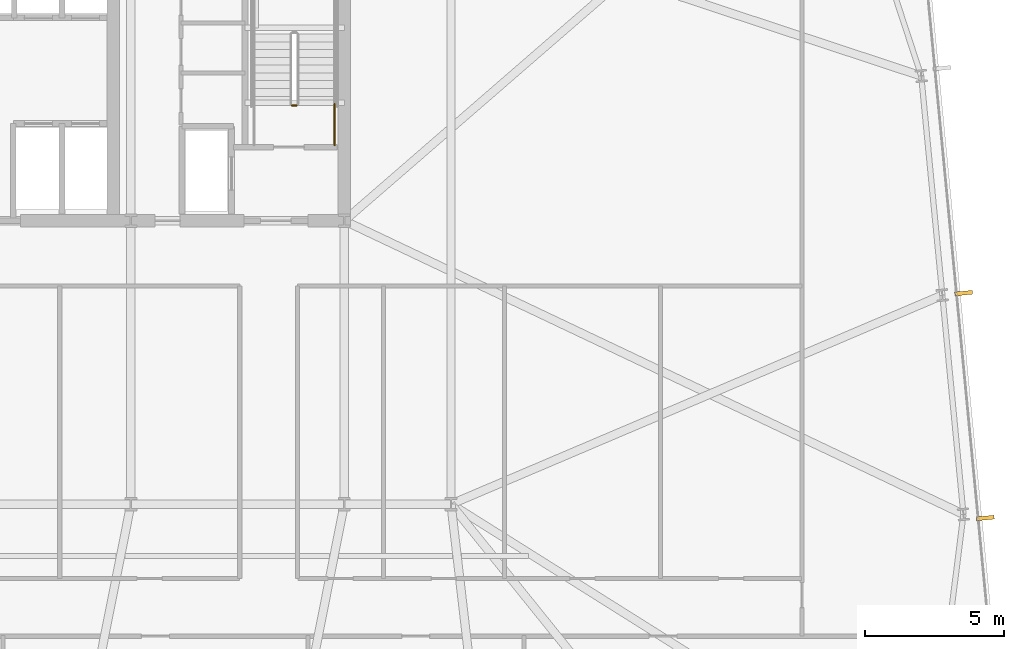
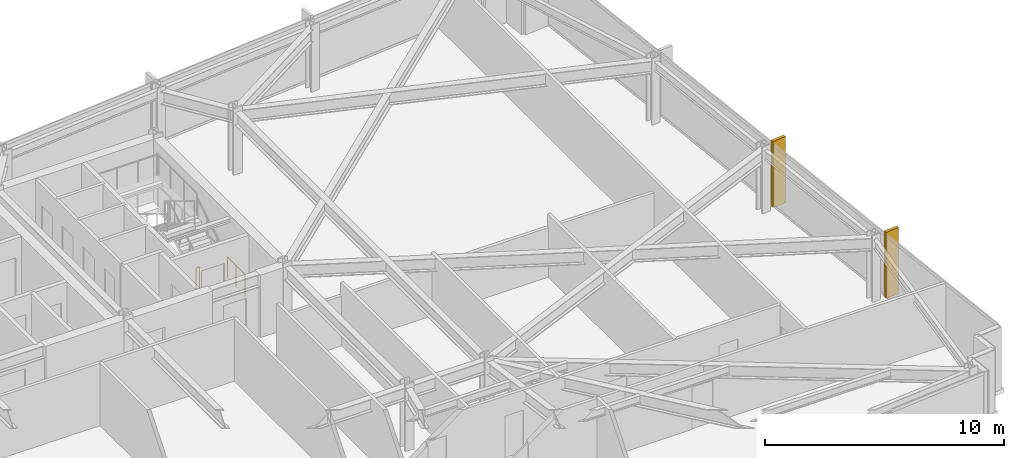
# One storey, part 31 of 33: 2 railings, 2 shading devices.
"""IFC4 building model written with IfcOpenShell, lengths in metres."""

import ifcopenshell
import ifcopenshell.guid

model = None  # the IFC model being written
_history = None  # IfcOwnerHistory: only IFC2X3 demands one
_inside = {}  # id of a spatial element -> (the spatial element, [elements in it])
_under = {}  # id of a project, library or spatial element -> (it, [spatial elements below it])
_declared = {}  # id of a project -> (the project, [libraries it declares])
_typed = {}  # id of a type object -> (the type object, [elements of that type])
_made_of = {}  # id of a material, layer set ... -> (it, [elements and type objects made of it])


def new_model(schema):
    """Start an empty IFC model of exactly this schema.

    Asked for "IFC4X3", IfcOpenShell would pick the latest addendum, in which some entities
    have other attributes; the version numbers below select the first issue.
    IFC2X3 requires an IfcOwnerHistory on every rooted entity: one is made here for all.
    """
    global model, _history
    if schema == "IFC4X3":
        model = ifcopenshell.file(schema_version=(4, 3, 0, 0))
    else:
        model = ifcopenshell.file(schema=schema)
    _inside.clear()
    _under.clear()
    _declared.clear()
    _typed.clear()
    _made_of.clear()
    _history = None
    if model.schema == "IFC2X3":
        org = make("IfcOrganization", Name="unknown")
        user = make(
            "IfcPersonAndOrganization",
            ThePerson=make("IfcPerson", FamilyName="unknown"),
            TheOrganization=org,
        )
        app = make(
            "IfcApplication",
            ApplicationDeveloper=org,
            Version="unknown",
            ApplicationFullName="unknown",
            ApplicationIdentifier="unknown",
        )
        _history = make(
            "IfcOwnerHistory",
            OwningUser=user,
            OwningApplication=app,
            ChangeAction="ADDED",
            CreationDate=0,
        )
    return model


def make(cls, **values):
    """One entity of the class cls with the attributes given. An attribute that is None is left unset."""
    return model.create_entity(
        cls, **{name: value for name, value in values.items() if value is not None}
    )


def rooted(cls, **values):
    """An entity with a GlobalId (a new one), such as an element, a storey or a relation."""
    return make(cls, GlobalId=ifcopenshell.guid.new(), OwnerHistory=_history, **values)


def si_unit(unit_type, name, prefix=None):
    """IfcSIUnit, for example si_unit("LENGTHUNIT", "METRE", prefix="MILLI")."""
    return make("IfcSIUnit", UnitType=unit_type, Prefix=prefix, Name=name)


def assignment(units):
    """IfcUnitAssignment: the units of a project."""
    return None if units is None else make("IfcUnitAssignment", Units=units)


def point(xyz):
    """IfcCartesianPoint."""
    return None if xyz is None else make("IfcCartesianPoint", Coordinates=xyz)


def direction(xyz):
    """IfcDirection."""
    return None if xyz is None else make("IfcDirection", DirectionRatios=xyz)


def frame(location, z_axis=None, x_axis=None):
    """IfcAxis2Placement3D, a coordinate frame: its origin and axes. An axis left out is left unset."""
    return make(
        "IfcAxis2Placement3D",
        Location=point(location),
        Axis=direction(z_axis),
        RefDirection=direction(x_axis),
    )


def frame_2d(location, x_axis=None):
    """IfcAxis2Placement2D, a coordinate frame in the plane: its origin and x axis."""
    return make(
        "IfcAxis2Placement2D", Location=point(location), RefDirection=direction(x_axis)
    )


def origin():
    """The frame at (0, 0, 0) with its axes left unset."""
    return frame((0.0, 0.0, 0.0))


def origin_2d():
    """The frame at (0, 0) in the plane with its x axis left unset."""
    return frame_2d((0.0, 0.0))


def place(relative_to, where):
    """IfcLocalPlacement: puts the frame where relative to a parent placement (None: the world)."""
    return make(
        "IfcLocalPlacement", PlacementRelTo=relative_to, RelativePlacement=where
    )


def context(
    kind, dimensions, precision=None, world=None, true_north=None, identifier=None
):
    """IfcGeometricRepresentationContext, for example the 3D "Model" context."""
    return make(
        "IfcGeometricRepresentationContext",
        ContextIdentifier=identifier,
        ContextType=kind,
        CoordinateSpaceDimension=dimensions,
        Precision=precision,
        WorldCoordinateSystem=world,
        TrueNorth=true_north,
    )


def subcontext(parent, identifier, kind, view, scale=None):
    """IfcGeometricRepresentationSubContext, for example "Body" below "Model"."""
    return make(
        "IfcGeometricRepresentationSubContext",
        ContextIdentifier=identifier,
        ContextType=kind,
        ParentContext=parent,
        TargetScale=scale,
        TargetView=view,
    )


def project(units=None, contexts=None):
    """IfcProject with its units and contexts."""
    return rooted(
        "IfcProject",
        Name="project",
        RepresentationContexts=contexts,
        UnitsInContext=assignment(units),
    )


def spatial(cls, under=None, at=None, **own):
    """A site, building, storey or space (cls), placed at a placement, below another one or the project."""
    s = rooted(cls, ObjectPlacement=at, **own)
    if under is not None:
        _under.setdefault(under.id(), (under, []))[1].append(s)
    return s


def profile(cls, at=None, kind="AREA", **sizes):
    """A parametric profile (cls). Its sizes go by their IFC names, for example OverallWidth=200.0."""
    return make(cls, ProfileType=kind, Position=at, **sizes)


def rectangle(**sizes):
    """IfcRectangleProfileDef."""
    return profile("IfcRectangleProfileDef", **sizes)


def circle(**sizes):
    """IfcCircleProfileDef."""
    return profile("IfcCircleProfileDef", **sizes)


def extrude(swept, where, along, depth):
    """IfcExtrudedAreaSolid: the profile swept, set in the frame where, extruded along a direction by depth."""
    return make(
        "IfcExtrudedAreaSolid",
        SweptArea=swept,
        Position=where,
        ExtrudedDirection=direction(along),
        Depth=depth,
    )


def shape(context_of_items, identifier, shape_type, items):
    """IfcShapeRepresentation: the items that make up one representation, for example the "Body"."""
    return make(
        "IfcShapeRepresentation",
        ContextOfItems=context_of_items,
        RepresentationIdentifier=identifier,
        RepresentationType=shape_type,
        Items=items,
    )


def material(Name=None, Category=None):
    """IfcMaterial."""
    return make("IfcMaterial", Name=Name, Category=Category)


def layer(
    of_material, thickness, ventilated=None, Name=None, Category=None, Priority=None
):
    """IfcMaterialLayer: one layer of a wall or slab, of a material (None: an air gap)."""
    return make(
        "IfcMaterialLayer",
        Material=of_material,
        LayerThickness=thickness,
        IsVentilated=ventilated,
        Name=Name,
        Category=Category,
        Priority=Priority,
    )


def layer_set(layers, Name=None):
    """IfcMaterialLayerSet."""
    return make("IfcMaterialLayerSet", MaterialLayers=layers, LayerSetName=Name)


def made_of(thing, what):
    """Note that an element or type object is made of a material, layer set ...; save() writes the relation."""
    if what is not None:
        _made_of.setdefault(what.id(), (what, []))[1].append(thing)
    return thing


def type_object(cls, material=None, **own):
    """A type object (cls), such as IfcWallType, which elements share."""
    return made_of(rooted(cls, **own), material)


def element(
    cls,
    number,
    at=None,
    inside=None,
    cuts=None,
    type_object=None,
    material=None,
    context=None,
    identifier="Body",
    shape_type=None,
    held_by="IfcProductDefinitionShape",
    body=None,
    shapes=None,
    **own,
):
    """One element of the class cls, such as IfcWall. Its Tag is "e" and its number.

    at: its placement. inside: the storey or other place that contains it. cuts: it is an
    opening in that element (IfcRelVoidsElement). A single representation is given by context,
    identifier, shape_type and body (its items); several are given by shapes. held_by: the class
    of the entity that holds the representations. save() writes the other relations.
    """
    e = rooted(cls, Tag="e%d" % number, ObjectPlacement=at, **own)
    if body is not None:
        shapes = [shape(context, identifier, shape_type, body)]
    if shapes is not None:
        e.Representation = make(held_by, Representations=shapes)
    if inside is not None:
        _inside.setdefault(inside.id(), (inside, []))[1].append(e)
    if cuts is not None:
        rooted(
            "IfcRelVoidsElement", RelatingBuildingElement=cuts, RelatedOpeningElement=e
        )
    if type_object is not None:
        _typed.setdefault(type_object.id(), (type_object, []))[1].append(e)
    return made_of(e, material)


def aggregate(whole, parts):
    """IfcRelAggregates: a whole, such as a stair, and the parts it consists of."""
    return rooted("IfcRelAggregates", RelatingObject=whole, RelatedObjects=parts)


def save(model, path):
    """Write the relations noted so far, then the file.

    IfcRelAggregates (storeys below a building ...), IfcRelContainedInSpatialStructure (elements
    in a storey), IfcRelDefinesByType, IfcRelAssociatesMaterial and IfcRelDeclares: one each for
    every whole, place, type object, material and project.
    """
    for whole, parts in _under.values():
        aggregate(whole, parts)
    for where, things in _inside.values():
        rooted(
            "IfcRelContainedInSpatialStructure",
            RelatedElements=things,
            RelatingStructure=where,
        )
    for kind, things in _typed.values():
        rooted("IfcRelDefinesByType", RelatedObjects=things, RelatingType=kind)
    for what, things in _made_of.values():
        rooted("IfcRelAssociatesMaterial", RelatedObjects=things, RelatingMaterial=what)
    for by, libraries in _declared.values():
        rooted("IfcRelDeclares", RelatingContext=by, RelatedDefinitions=libraries)
    model.write(path)


model = new_model("IFC4")

# Units and contexts
model_context = context("Model", 3, precision=1e-05, world=origin(), true_north=direction((0.0, 1.0)))
body_context = subcontext(model_context, "Body", "Model", "MODEL_VIEW")
ifc_project = project(units=[si_unit("LENGTHUNIT", "METRE"), si_unit("AREAUNIT", "SQUARE_METRE"), si_unit("VOLUMEUNIT", "CUBIC_METRE"), si_unit("PLANEANGLEUNIT", "RADIAN"), si_unit("MASSUNIT", "GRAM", prefix="KILO")], contexts=[model_context])

# Site, building, storey
site_placement = place(None, origin())
site = spatial("IfcSite", under=ifc_project, at=site_placement, CompositionType="ELEMENT")
building_placement = place(site_placement, origin())
building = spatial("IfcBuilding", under=site, at=building_placement, Name="Yelkora Congress Tower", CompositionType="ELEMENT")
storey_placement = place(building_placement, frame((0.0, 0.0, 127.10009765625)))
storey = spatial("IfcBuildingStorey", under=building, at=storey_placement, Name="L34", CompositionType="ELEMENT", Elevation=127.10009765625)

# Railings
ifc_material_1 = material(Name="Painted galvanised steel stair well guard with vertical infill", Category="steel")
ifc_layer_1 = layer(ifc_material_1, 0.06005859375)
ifc_layer_set_1 = layer_set([ifc_layer_1], Name="Painted galvanised steel stair well guard with vertical infill")
railing_type = type_object("IfcRailingType", Name="RAIL-STAIR-GUARD-1120", PredefinedType="GUARDRAIL", material=ifc_layer_set_1)
railing_1_placement = place(storey_placement, frame((52.0400390625, 39.550048828125, 0.0)))
element("IfcRailing", 1, at=railing_1_placement, inside=storey, type_object=railing_type, Name="ST-02 L34 Stair Well Guardrail 7", PredefinedType="GUARDRAIL", context=body_context, shape_type="SweptSolid", body=[
    extrude(circle(Radius=0.02392578125, at=origin_2d()), frame((0.0, 0.0, 1.09619140625), z_axis=(-1.0, 0.0, 0.0), x_axis=(0.0, -1.0, 0.0)), (0.0, 0.0, 1.0), 0.16015625),
    extrude(circle(Radius=0.02099609375, at=origin_2d()), origin(), (0.0, 0.0, 1.0), 1.072021484375),
    extrude(circle(Radius=0.02099609375, at=origin_2d()), frame((-0.16015625, 0.0, 0.0)), (0.0, 0.0, 1.0), 1.072021484375),
])
railing_2_placement = place(storey_placement, frame((53.409912109375, 38.1201171875, 0.0)))
element("IfcRailing", 2, at=railing_2_placement, inside=storey, type_object=railing_type, Name="ST-02 L34 Stair Well Guardrail 8", PredefinedType="GUARDRAIL", context=body_context, shape_type="SweptSolid", body=[
    extrude(circle(Radius=0.02392578125, at=origin_2d()), frame((0.0, 0.0, 1.09619140625), z_axis=(0.0, 1.0, 0.0), x_axis=(-1.0, 0.0, 0.0)), (0.0, 0.0, 1.0), 1.47998046875),
    extrude(circle(Radius=0.02099609375, at=origin_2d()), origin(), (0.0, 0.0, 1.0), 1.072021484375),
    extrude(circle(Radius=0.02099609375, at=origin_2d()), frame((0.0, 0.739990234375, 0.0)), (0.0, 0.0, 1.0), 1.072021484375),
    extrude(circle(Radius=0.02099609375, at=origin_2d()), frame((0.0, 1.47998046875, 0.0)), (0.0, 0.0, 1.0), 1.072021484375),
])

# Shading devices
ifc_material_2 = material(Name="Champagne anodised aluminium", Category="aluminium")
ifc_layer_2 = layer(ifc_material_2, 3.39990234375)
ifc_layer_set_2 = layer_set([ifc_layer_2], Name="Champagne anodised aluminium")
shading_device_type = type_object("IfcShadingDeviceType", Name="SHD-FIN-ALU-640", PredefinedType="USERDEFINED", material=ifc_layer_set_2)
for number, where, z_axis, x_axis, name in (
    (3, (76.048095703125, 32.7958984375, -0.030029296875), (0.0, 0.0, 1.0), (0.09584575252, -0.995396198367, 0.0), "L34 Vertical Anodised Solar Fin 15-2"),
    (4, (76.827392578125, 24.703125, -0.030029296875), (0.0, 0.0, 1.0), (0.09584575252, -0.995396198367, 0.0), "L34 Vertical Anodised Solar Fin 15-3"),
):
    element("IfcShadingDevice", number, at=place(storey_placement, frame(where, z_axis=z_axis, x_axis=x_axis)), inside=storey, type_object=shading_device_type, Name=name, ObjectType="FIN", PredefinedType="USERDEFINED", context=body_context, shape_type="SweptSolid", body=[
        extrude(rectangle(XDim=0.139892578125, YDim=0.639892578125, at=origin_2d()), origin(), (0.0, 0.0, 1.0), 3.3798828125),
    ])

save(model, "model.ifc")
